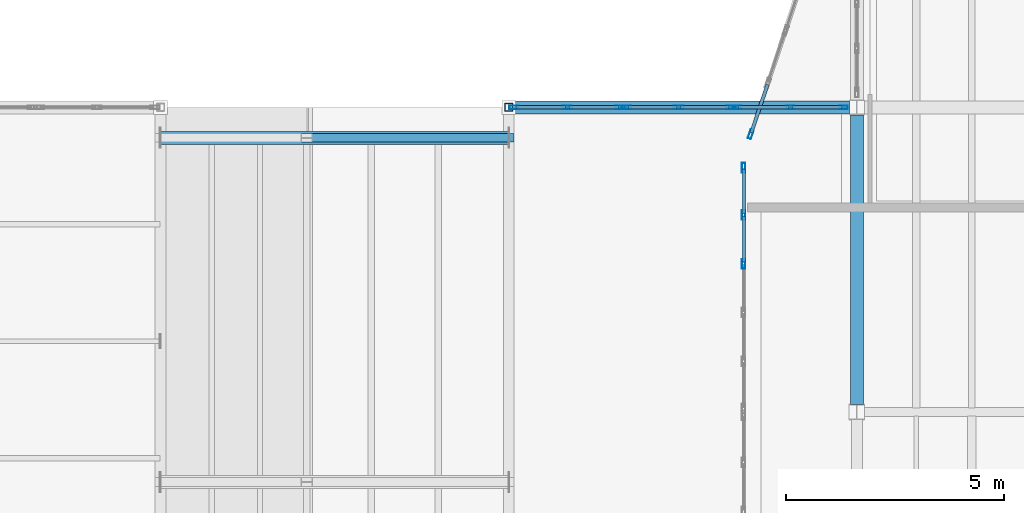
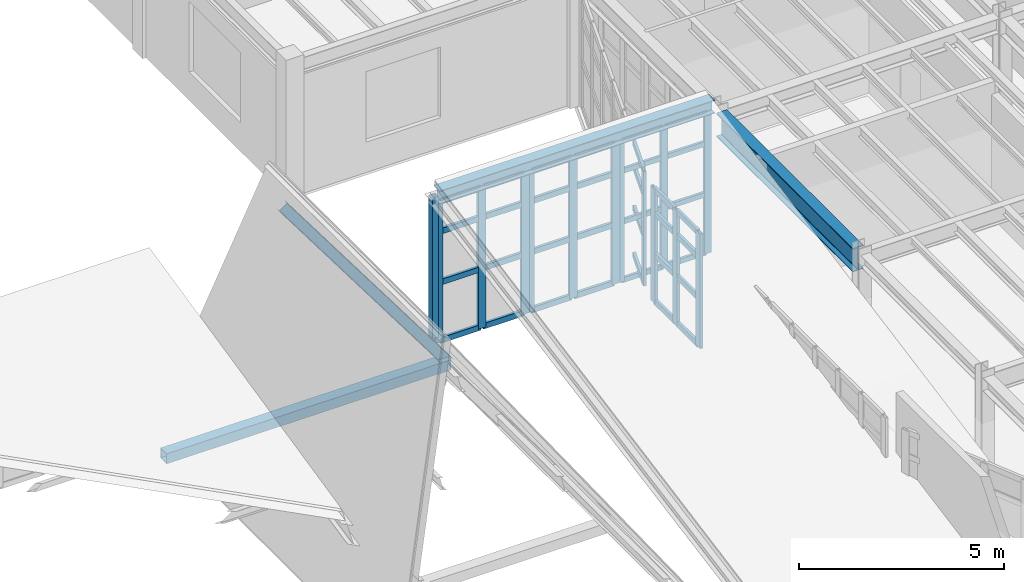
# One storey, part 37 of 77: 52 members, 2 beams, 5 elements without a shape of their own.
"""IFC4 building model written with IfcOpenShell, lengths in metres."""

from ifc_helpers import new_model, si_unit, direction, frame, origin, origin_2d, place, context, subcontext, project, spatial, hollow_rectangle, i_section, extrude, material, material_profile, profile_set, type_object, element, aggregate, save


model = new_model("IFC4")

# Units and contexts
model_context = context("Model", 3, precision=1e-05, world=origin(), true_north=direction((0.0, 1.0)))
body_context = subcontext(model_context, "Body", "Model", "MODEL_VIEW")
ifc_project = project(units=[si_unit("LENGTHUNIT", "METRE"), si_unit("AREAUNIT", "SQUARE_METRE"), si_unit("VOLUMEUNIT", "CUBIC_METRE"), si_unit("PLANEANGLEUNIT", "RADIAN"), si_unit("MASSUNIT", "GRAM", prefix="KILO"), si_unit("THERMODYNAMICTEMPERATUREUNIT", "KELVIN"), si_unit("POWERUNIT", "WATT")], contexts=[model_context])

# Site, building, storey
site_placement = place(None, origin())
site = spatial("IfcSite", under=ifc_project, at=site_placement, CompositionType="ELEMENT")
building_placement = place(site_placement, origin())
building = spatial("IfcBuilding", under=site, at=building_placement, Name="Zhenchuan Central Fire Station", CompositionType="ELEMENT")
storey_placement = place(building_placement, frame((0.0, 0.0, 10.050048828125)))
storey = spatial("IfcBuildingStorey", under=building, at=storey_placement, Name="L03", CompositionType="ELEMENT", Elevation=10.050048828125)

# Beams
ifc_material_1 = material(Name="Steel Q355B", Category="steel")
ifc_material_profile_1 = material_profile(ifc_material_1, i_section(OverallWidth=0.300048828125, OverallDepth=0.389892578125, WebThickness=0.010009765625, FlangeThickness=0.01611328125, FilletRadius=0.02001953125, at=origin_2d()), Name="HM 390x300")
ifc_profile_set_1 = profile_set([ifc_material_profile_1], Name="Steel Q355B")
beam_type_1 = type_object("IfcBeamType", Name="BM-HM390-INT", PredefinedType="BEAM", material=ifc_profile_set_1)
beam_1_placement = place(storey_placement, frame((132.090087890625, 35.5, 4.1826171875), z_axis=(1.0, 0.0, 0.0), x_axis=(0.0, 1.0, 0.0)))
element("IfcBeam", 1, at=beam_1_placement, inside=storey, type_object=beam_type_1, Name="Pavilion H10 North-Light Ridge Girder", PredefinedType="BEAM", context=body_context, shape_type="SweptSolid", body=[
    extrude(i_section(OverallWidth=0.300048828125, OverallDepth=0.389892578125, WebThickness=0.010009765625, FlangeThickness=0.01611328125, FilletRadius=0.02001953125, at=origin_2d()), origin(), (0.0, 0.0, 1.0), 7.73486328125),
])
ifc_material_profile_2 = material_profile(ifc_material_1, i_section(OverallWidth=0.300048828125, OverallDepth=0.699951171875, WebThickness=0.012939453125, FlangeThickness=0.02392578125, FilletRadius=0.02392578125, at=origin_2d()), Name="HN 700x300")
ifc_profile_set_2 = profile_set([ifc_material_profile_2], Name="Steel Q355B")
beam_type_2 = type_object("IfcBeamType", Name="BM-HN700", PredefinedType="BEAM", material=ifc_profile_set_2)
beam_2_placement = place(storey_placement, frame((140.0, 28.675048828125, 3.64990234375), z_axis=(0.0, 1.0, 0.0), x_axis=(-1.0, 0.0, 0.0)))
element("IfcBeam", 2, at=beam_2_placement, inside=storey, type_object=beam_type_2, Name="L04 Girder NS 0406", PredefinedType="BEAM", context=body_context, shape_type="SweptSolid", body=[
    extrude(i_section(OverallWidth=0.300048828125, OverallDepth=0.699951171875, WebThickness=0.012939453125, FlangeThickness=0.02392578125, FilletRadius=0.02392578125, at=origin_2d()), origin(), (0.0, 0.0, 1.0), 6.64990234375),
])

# Curtain wall, members
ifc_material_2 = material(Name="Anodised aluminium and low-E glazing", Category="aluminium")
curtain_wall_type_1 = type_object("IfcCurtainWallType", Name="CW-MOD-01", PredefinedType="USERDEFINED", material=ifc_material_2)
curtain_wall_1_placement = place(storey_placement, origin())
curtain_wall_1 = element("IfcCurtainWall", 3, at=curtain_wall_1_placement, inside=storey, type_object=curtain_wall_type_1, Name="L03 Unitised Curtain Wall 015", ObjectType="UNITISED GLAZING", PredefinedType="USERDEFINED")
ifc_material_3 = material(Name="Anodised aluminium EN AW-6063", Category="aluminium")
ifc_material_profile_3 = material_profile(ifc_material_3, hollow_rectangle(XDim=0.074951171875, YDim=0.199951171875, WallThickness=0.0048828125, at=origin_2d()), Name="ALU-M 200x75")
ifc_profile_set_3 = profile_set([ifc_material_profile_3], Name="Anodised aluminium EN AW-6063")
member_type_1 = type_object("IfcMemberType", Name="CW-MUL160", PredefinedType="MULLION", material=ifc_profile_set_3)
member_1_placement = place(storey_placement, frame((137.249755859375, 35.5, -0.2041015625), z_axis=(0.0, 0.0, 1.0), x_axis=(0.0, 1.0, 0.0)))
member_1 = element("IfcMember", 4, at=member_1_placement, type_object=member_type_1, Name="CW-01 mullion 1", PredefinedType="MULLION", context=body_context, shape_type="SweptSolid", body=[
    extrude(hollow_rectangle(XDim=0.074951171875, YDim=0.199951171875, WallThickness=0.0048828125, at=origin_2d()), origin(), (0.0, 0.0, 1.0), 4.2041015625),
])
member_2_placement = place(storey_placement, frame((138.47119140625, 35.5, -0.2041015625), z_axis=(0.0, 0.0, 1.0), x_axis=(0.0, 1.0, 0.0)))
member_2 = element("IfcMember", 5, at=member_2_placement, type_object=member_type_1, Name="CW-01 mullion 2", PredefinedType="MULLION", context=body_context, shape_type="SweptSolid", body=[
    extrude(hollow_rectangle(XDim=0.074951171875, YDim=0.199951171875, WallThickness=0.0048828125, at=origin_2d()), origin(), (0.0, 0.0, 1.0), 4.2041015625),
])
member_3_placement = place(storey_placement, frame((139.6923828125, 35.5, -0.2041015625), z_axis=(0.0, 0.0, 1.0), x_axis=(0.0, 1.0, 0.0)))
member_3 = element("IfcMember", 6, at=member_3_placement, type_object=member_type_1, Name="CW-01 mullion 3", PredefinedType="MULLION", context=body_context, shape_type="SweptSolid", body=[
    extrude(hollow_rectangle(XDim=0.074951171875, YDim=0.199951171875, WallThickness=0.0048828125, at=origin_2d()), origin(), (0.0, 0.0, 1.0), 4.2041015625),
])

curtain_wall_type_2 = type_object("IfcCurtainWallType", Name="CW-MOD-21", PredefinedType="USERDEFINED", material=ifc_material_2)
curtain_wall_2_placement = place(storey_placement, origin())
curtain_wall_2 = element("IfcCurtainWall", 7, at=curtain_wall_2_placement, inside=storey, type_object=curtain_wall_type_2, Name="L03 Unitised Curtain Wall 013", ObjectType="UNITISED GLAZING", PredefinedType="USERDEFINED")
ifc_material_profile_4 = material_profile(ifc_material_3, hollow_rectangle(XDim=0.080078125, YDim=0.219970703125, WallThickness=0.005615234375, at=origin_2d()), Name="ALU-M 220x80")
ifc_profile_set_4 = profile_set([ifc_material_profile_4], Name="Anodised aluminium EN AW-6063")
member_type_2 = type_object("IfcMemberType", Name="CW-MUL200", PredefinedType="MULLION", material=ifc_profile_set_4)
member_4_placement = place(storey_placement, frame((132.12548828125, 35.5, -0.2041015625), z_axis=(0.0, 0.0, 1.0), x_axis=(0.0, 1.0, 0.0)))
member_4 = element("IfcMember", 8, at=member_4_placement, type_object=member_type_2, Name="CW-21 mullion 1", PredefinedType="MULLION", context=body_context, shape_type="SweptSolid", body=[
    extrude(hollow_rectangle(XDim=0.080078125, YDim=0.219970703125, WallThickness=0.005615234375, at=origin_2d()), origin(), (0.0, 0.0, 1.0), 4.2041015625),
])
member_5_placement = place(storey_placement, frame((133.341796875, 35.5, -0.2041015625), z_axis=(0.0, 0.0, 1.0), x_axis=(0.0, 1.0, 0.0)))
member_5 = element("IfcMember", 9, at=member_5_placement, type_object=member_type_2, Name="CW-21 mullion 2", PredefinedType="MULLION", context=body_context, shape_type="SweptSolid", body=[
    extrude(hollow_rectangle(XDim=0.080078125, YDim=0.219970703125, WallThickness=0.005615234375, at=origin_2d()), origin(), (0.0, 0.0, 1.0), 4.2041015625),
])
member_6_placement = place(storey_placement, frame((134.55810546875, 35.5, -0.2041015625), z_axis=(0.0, 0.0, 1.0), x_axis=(0.0, 1.0, 0.0)))
member_6 = element("IfcMember", 10, at=member_6_placement, type_object=member_type_2, Name="CW-21 mullion 3", PredefinedType="MULLION", context=body_context, shape_type="SweptSolid", body=[
    extrude(hollow_rectangle(XDim=0.080078125, YDim=0.219970703125, WallThickness=0.005615234375, at=origin_2d()), origin(), (0.0, 0.0, 1.0), 4.2041015625),
])

curtain_wall_type_3 = type_object("IfcCurtainWallType", Name="CW-MOD-22", PredefinedType="USERDEFINED", material=ifc_material_2)
curtain_wall_3_placement = place(storey_placement, origin())
curtain_wall_3 = element("IfcCurtainWall", 11, at=curtain_wall_3_placement, inside=storey, type_object=curtain_wall_type_3, Name="L03 Unitised Curtain Wall 014", ObjectType="UNITISED GLAZING", PredefinedType="USERDEFINED")
member_7_placement = place(storey_placement, frame((134.709228515625, 35.5, -0.2041015625), z_axis=(0.0, 0.0, 1.0), x_axis=(0.0, 1.0, 0.0)))
member_7 = element("IfcMember", 12, at=member_7_placement, type_object=member_type_2, Name="CW-22 mullion 1", PredefinedType="MULLION", context=body_context, shape_type="SweptSolid", body=[
    extrude(hollow_rectangle(XDim=0.080078125, YDim=0.219970703125, WallThickness=0.005615234375, at=origin_2d()), origin(), (0.0, 0.0, 1.0), 4.2041015625),
])
member_8_placement = place(storey_placement, frame((135.906494140625, 35.5, -0.2041015625), z_axis=(0.0, 0.0, 1.0), x_axis=(0.0, 1.0, 0.0)))
member_8 = element("IfcMember", 13, at=member_8_placement, type_object=member_type_2, Name="CW-22 mullion 2", PredefinedType="MULLION", context=body_context, shape_type="SweptSolid", body=[
    extrude(hollow_rectangle(XDim=0.080078125, YDim=0.219970703125, WallThickness=0.005615234375, at=origin_2d()), origin(), (0.0, 0.0, 1.0), 4.2041015625),
])
member_9_placement = place(storey_placement, frame((137.103759765625, 35.5, -0.2041015625), z_axis=(0.0, 0.0, 1.0), x_axis=(0.0, 1.0, 0.0)))
member_9 = element("IfcMember", 14, at=member_9_placement, type_object=member_type_2, Name="CW-22 mullion 3", PredefinedType="MULLION", context=body_context, shape_type="SweptSolid", body=[
    extrude(hollow_rectangle(XDim=0.080078125, YDim=0.219970703125, WallThickness=0.005615234375, at=origin_2d()), origin(), (0.0, 0.0, 1.0), 4.2041015625),
])

curtain_wall_type_4 = type_object("IfcCurtainWallType", Name="CW-MOD-17", PredefinedType="USERDEFINED", material=ifc_material_2)
curtain_wall_4_placement = place(storey_placement, origin())
curtain_wall_4 = element("IfcCurtainWall", 15, at=curtain_wall_4_placement, inside=storey, type_object=curtain_wall_type_4, Name="L03 Unitised Curtain Wall 120", ObjectType="UNITISED GLAZING", PredefinedType="USERDEFINED")
member_10_placement = place(storey_placement, frame((137.39990234375, 31.9052734375, -0.004150390625), z_axis=(0.0, 0.0, 1.0), x_axis=(-1.0, 0.0, 0.0)))
member_10 = element("IfcMember", 16, at=member_10_placement, type_object=member_type_2, Name="CW-17 mullion 4", PredefinedType="MULLION", context=body_context, shape_type="SweptSolid", body=[
    extrude(hollow_rectangle(XDim=0.080078125, YDim=0.219970703125, WallThickness=0.005615234375, at=origin_2d()), origin(), (0.0, 0.0, 1.0), 3.404052734375),
])
member_11_placement = place(storey_placement, frame((137.39990234375, 33.027587890625, -0.004150390625), z_axis=(0.0, 0.0, 1.0), x_axis=(-1.0, 0.0, 0.0)))
member_11 = element("IfcMember", 17, at=member_11_placement, type_object=member_type_2, Name="CW-17 mullion 5", PredefinedType="MULLION", context=body_context, shape_type="SweptSolid", body=[
    extrude(hollow_rectangle(XDim=0.080078125, YDim=0.219970703125, WallThickness=0.005615234375, at=origin_2d()), origin(), (0.0, 0.0, 1.0), 3.404052734375),
])
member_12_placement = place(storey_placement, frame((137.39990234375, 34.112548828125, -0.004150390625), z_axis=(0.0, 0.0, 1.0), x_axis=(-1.0, 0.0, 0.0)))
member_12 = element("IfcMember", 18, at=member_12_placement, type_object=member_type_2, Name="CW-17 mullion 6", PredefinedType="MULLION", context=body_context, shape_type="SweptSolid", body=[
    extrude(hollow_rectangle(XDim=0.080078125, YDim=0.219970703125, WallThickness=0.005615234375, at=origin_2d()), origin(), (0.0, 0.0, 1.0), 3.404052734375),
])

# Curtain wall, member
curtain_wall_type_5 = type_object("IfcCurtainWallType", Name="CW-MOD-18", PredefinedType="USERDEFINED", material=ifc_material_2)
curtain_wall_5_placement = place(storey_placement, origin())
curtain_wall_5 = element("IfcCurtainWall", 19, at=curtain_wall_5_placement, inside=storey, type_object=curtain_wall_type_5, Name="L03 Unitised Curtain Wall 121", ObjectType="UNITISED GLAZING", PredefinedType="USERDEFINED")
member_13_placement = place(storey_placement, frame((137.56201171875, 34.885498046875, -0.004150390625), z_axis=(0.0, 0.0, 1.0), x_axis=(-0.94736848346, 0.320145211655, 0.0)))
member_13 = element("IfcMember", 20, at=member_13_placement, type_object=member_type_2, Name="CW-18 mullion 1", PredefinedType="MULLION", context=body_context, shape_type="SweptSolid", body=[
    extrude(hollow_rectangle(XDim=0.080078125, YDim=0.219970703125, WallThickness=0.005615234375, at=origin_2d()), origin(), (0.0, 0.0, 1.0), 3.404052734375),
])

# Member
ifc_material_profile_5 = material_profile(ifc_material_3, hollow_rectangle(XDim=0.074951171875, YDim=0.14990234375, WallThickness=0.0048828125, at=origin_2d()), Name="ALU-T 150x75")
ifc_profile_set_5 = profile_set([ifc_material_profile_5], Name="Anodised aluminium EN AW-6063")
member_type_3 = type_object("IfcMemberType", Name="CW-TRN130", PredefinedType="NOTDEFINED", material=ifc_profile_set_5)
member_14_placement = place(storey_placement, frame((137.2822265625, 35.5, -0.171630859375), z_axis=(1.0, 0.0, 0.0), x_axis=(0.0, 1.0, 0.0)))
member_14 = element("IfcMember", 21, at=member_14_placement, type_object=member_type_3, Name="CW-01 transom 1.1", ObjectType="TRANSOM", PredefinedType="USERDEFINED", context=body_context, shape_type="SweptSolid", body=[
    extrude(hollow_rectangle(XDim=0.074951171875, YDim=0.14990234375, WallThickness=0.0048828125, at=origin_2d()), origin(), (0.0, 0.0, 1.0), 1.156494140625),
])

member_15_placement = place(storey_placement, frame((137.2822265625, 35.5, 1.56396484375), z_axis=(1.0, 0.0, 0.0), x_axis=(0.0, 1.0, 0.0)))
member_15 = element("IfcMember", 22, at=member_15_placement, type_object=member_type_3, Name="CW-01 transom 1.2", ObjectType="TRANSOM", PredefinedType="USERDEFINED", context=body_context, shape_type="SweptSolid", body=[
    extrude(hollow_rectangle(XDim=0.074951171875, YDim=0.14990234375, WallThickness=0.0048828125, at=origin_2d()), origin(), (0.0, 0.0, 1.0), 1.156494140625),
])

member_16_placement = place(storey_placement, frame((137.2822265625, 35.5, 3.075927734375), z_axis=(1.0, 0.0, 0.0), x_axis=(0.0, 1.0, 0.0)))
member_16 = element("IfcMember", 23, at=member_16_placement, type_object=member_type_3, Name="CW-01 transom 1.3", ObjectType="TRANSOM", PredefinedType="USERDEFINED", context=body_context, shape_type="SweptSolid", body=[
    extrude(hollow_rectangle(XDim=0.074951171875, YDim=0.14990234375, WallThickness=0.0048828125, at=origin_2d()), origin(), (0.0, 0.0, 1.0), 1.156494140625),
])

member_17_placement = place(storey_placement, frame((137.2822265625, 35.5, 3.967529296875), z_axis=(1.0, 0.0, 0.0), x_axis=(0.0, 1.0, 0.0)))
member_17 = element("IfcMember", 24, at=member_17_placement, type_object=member_type_3, Name="CW-01 transom 1.4", ObjectType="TRANSOM", PredefinedType="USERDEFINED", context=body_context, shape_type="SweptSolid", body=[
    extrude(hollow_rectangle(XDim=0.074951171875, YDim=0.14990234375, WallThickness=0.0048828125, at=origin_2d()), origin(), (0.0, 0.0, 1.0), 1.156494140625),
])

member_18_placement = place(storey_placement, frame((138.503662109375, 35.5, -0.171630859375), z_axis=(1.0, 0.0, 0.0), x_axis=(0.0, 1.0, 0.0)))
member_18 = element("IfcMember", 25, at=member_18_placement, type_object=member_type_3, Name="CW-01 transom 2.1", ObjectType="TRANSOM", PredefinedType="USERDEFINED", context=body_context, shape_type="SweptSolid", body=[
    extrude(hollow_rectangle(XDim=0.074951171875, YDim=0.14990234375, WallThickness=0.0048828125, at=origin_2d()), origin(), (0.0, 0.0, 1.0), 1.15625),
])

member_19_placement = place(storey_placement, frame((138.503662109375, 35.5, 1.56396484375), z_axis=(1.0, 0.0, 0.0), x_axis=(0.0, 1.0, 0.0)))
member_19 = element("IfcMember", 26, at=member_19_placement, type_object=member_type_3, Name="CW-01 transom 2.2", ObjectType="TRANSOM", PredefinedType="USERDEFINED", context=body_context, shape_type="SweptSolid", body=[
    extrude(hollow_rectangle(XDim=0.074951171875, YDim=0.14990234375, WallThickness=0.0048828125, at=origin_2d()), origin(), (0.0, 0.0, 1.0), 1.15625),
])

member_20_placement = place(storey_placement, frame((138.503662109375, 35.5, 3.075927734375), z_axis=(1.0, 0.0, 0.0), x_axis=(0.0, 1.0, 0.0)))
member_20 = element("IfcMember", 27, at=member_20_placement, type_object=member_type_3, Name="CW-01 transom 2.3", ObjectType="TRANSOM", PredefinedType="USERDEFINED", context=body_context, shape_type="SweptSolid", body=[
    extrude(hollow_rectangle(XDim=0.074951171875, YDim=0.14990234375, WallThickness=0.0048828125, at=origin_2d()), origin(), (0.0, 0.0, 1.0), 1.15625),
])

member_21_placement = place(storey_placement, frame((138.503662109375, 35.5, 3.967529296875), z_axis=(1.0, 0.0, 0.0), x_axis=(0.0, 1.0, 0.0)))
member_21 = element("IfcMember", 28, at=member_21_placement, type_object=member_type_3, Name="CW-01 transom 2.4", ObjectType="TRANSOM", PredefinedType="USERDEFINED", context=body_context, shape_type="SweptSolid", body=[
    extrude(hollow_rectangle(XDim=0.074951171875, YDim=0.14990234375, WallThickness=0.0048828125, at=origin_2d()), origin(), (0.0, 0.0, 1.0), 1.15625),
])

aggregate(curtain_wall_1, [member_1, member_2, member_3, member_14, member_15, member_16, member_17, member_18, member_19, member_20, member_21])

ifc_material_profile_6 = material_profile(ifc_material_3, hollow_rectangle(XDim=0.080078125, YDim=0.1650390625, WallThickness=0.0048828125, at=origin_2d()), Name="ALU-T 165x80")
ifc_profile_set_6 = profile_set([ifc_material_profile_6], Name="Anodised aluminium EN AW-6063")
member_type_4 = type_object("IfcMemberType", Name="CW-TRN150", PredefinedType="NOTDEFINED", material=ifc_profile_set_6)
member_22_placement = place(storey_placement, frame((132.1630859375, 35.5, -0.16650390625), z_axis=(1.0, 0.0, 0.0), x_axis=(0.0, 1.0, 0.0)))
member_22 = element("IfcMember", 29, at=member_22_placement, type_object=member_type_4, Name="CW-21 transom 1.1", ObjectType="TRANSOM", PredefinedType="USERDEFINED", context=body_context, shape_type="SweptSolid", body=[
    extrude(hollow_rectangle(XDim=0.080078125, YDim=0.1650390625, WallThickness=0.0048828125, at=origin_2d()), origin(), (0.0, 0.0, 1.0), 1.141357421875),
])

member_23_placement = place(storey_placement, frame((132.1630859375, 35.5, 1.56396484375), z_axis=(1.0, 0.0, 0.0), x_axis=(0.0, 1.0, 0.0)))
member_23 = element("IfcMember", 30, at=member_23_placement, type_object=member_type_4, Name="CW-21 transom 1.2", ObjectType="TRANSOM", PredefinedType="USERDEFINED", context=body_context, shape_type="SweptSolid", body=[
    extrude(hollow_rectangle(XDim=0.080078125, YDim=0.1650390625, WallThickness=0.0048828125, at=origin_2d()), origin(), (0.0, 0.0, 1.0), 1.141357421875),
])

member_24_placement = place(storey_placement, frame((132.1630859375, 35.5, 3.075927734375), z_axis=(1.0, 0.0, 0.0), x_axis=(0.0, 1.0, 0.0)))
member_24 = element("IfcMember", 31, at=member_24_placement, type_object=member_type_4, Name="CW-21 transom 1.3", ObjectType="TRANSOM", PredefinedType="USERDEFINED", context=body_context, shape_type="SweptSolid", body=[
    extrude(hollow_rectangle(XDim=0.080078125, YDim=0.1650390625, WallThickness=0.0048828125, at=origin_2d()), origin(), (0.0, 0.0, 1.0), 1.141357421875),
])

member_25_placement = place(storey_placement, frame((132.1630859375, 35.5, 3.96240234375), z_axis=(1.0, 0.0, 0.0), x_axis=(0.0, 1.0, 0.0)))
member_25 = element("IfcMember", 32, at=member_25_placement, type_object=member_type_4, Name="CW-21 transom 1.4", ObjectType="TRANSOM", PredefinedType="USERDEFINED", context=body_context, shape_type="SweptSolid", body=[
    extrude(hollow_rectangle(XDim=0.080078125, YDim=0.1650390625, WallThickness=0.0048828125, at=origin_2d()), origin(), (0.0, 0.0, 1.0), 1.141357421875),
])

member_26_placement = place(storey_placement, frame((133.37939453125, 35.5, -0.16650390625), z_axis=(1.0, 0.0, 0.0), x_axis=(0.0, 1.0, 0.0)))
member_26 = element("IfcMember", 33, at=member_26_placement, type_object=member_type_4, Name="CW-21 transom 2.1", ObjectType="TRANSOM", PredefinedType="USERDEFINED", context=body_context, shape_type="SweptSolid", body=[
    extrude(hollow_rectangle(XDim=0.080078125, YDim=0.1650390625, WallThickness=0.0048828125, at=origin_2d()), origin(), (0.0, 0.0, 1.0), 1.141357421875),
])

member_27_placement = place(storey_placement, frame((133.37939453125, 35.5, 1.56396484375), z_axis=(1.0, 0.0, 0.0), x_axis=(0.0, 1.0, 0.0)))
member_27 = element("IfcMember", 34, at=member_27_placement, type_object=member_type_4, Name="CW-21 transom 2.2", ObjectType="TRANSOM", PredefinedType="USERDEFINED", context=body_context, shape_type="SweptSolid", body=[
    extrude(hollow_rectangle(XDim=0.080078125, YDim=0.1650390625, WallThickness=0.0048828125, at=origin_2d()), origin(), (0.0, 0.0, 1.0), 1.141357421875),
])

member_28_placement = place(storey_placement, frame((133.37939453125, 35.5, 3.075927734375), z_axis=(1.0, 0.0, 0.0), x_axis=(0.0, 1.0, 0.0)))
member_28 = element("IfcMember", 35, at=member_28_placement, type_object=member_type_4, Name="CW-21 transom 2.3", ObjectType="TRANSOM", PredefinedType="USERDEFINED", context=body_context, shape_type="SweptSolid", body=[
    extrude(hollow_rectangle(XDim=0.080078125, YDim=0.1650390625, WallThickness=0.0048828125, at=origin_2d()), origin(), (0.0, 0.0, 1.0), 1.141357421875),
])

member_29_placement = place(storey_placement, frame((133.37939453125, 35.5, 3.96240234375), z_axis=(1.0, 0.0, 0.0), x_axis=(0.0, 1.0, 0.0)))
member_29 = element("IfcMember", 36, at=member_29_placement, type_object=member_type_4, Name="CW-21 transom 2.4", ObjectType="TRANSOM", PredefinedType="USERDEFINED", context=body_context, shape_type="SweptSolid", body=[
    extrude(hollow_rectangle(XDim=0.080078125, YDim=0.1650390625, WallThickness=0.0048828125, at=origin_2d()), origin(), (0.0, 0.0, 1.0), 1.141357421875),
])

aggregate(curtain_wall_2, [member_4, member_5, member_6, member_22, member_23, member_24, member_25, member_26, member_27, member_28, member_29])

member_30_placement = place(storey_placement, frame((134.74658203125, 35.5, -0.16650390625), z_axis=(1.0, 0.0, 0.0), x_axis=(0.0, 1.0, 0.0)))
member_30 = element("IfcMember", 37, at=member_30_placement, type_object=member_type_4, Name="CW-22 transom 1.1", ObjectType="TRANSOM", PredefinedType="USERDEFINED", context=body_context, shape_type="SweptSolid", body=[
    extrude(hollow_rectangle(XDim=0.080078125, YDim=0.1650390625, WallThickness=0.0048828125, at=origin_2d()), origin(), (0.0, 0.0, 1.0), 1.122314453125),
])

member_31_placement = place(storey_placement, frame((134.74658203125, 35.5, 1.56396484375), z_axis=(1.0, 0.0, 0.0), x_axis=(0.0, 1.0, 0.0)))
member_31 = element("IfcMember", 38, at=member_31_placement, type_object=member_type_4, Name="CW-22 transom 1.2", ObjectType="TRANSOM", PredefinedType="USERDEFINED", context=body_context, shape_type="SweptSolid", body=[
    extrude(hollow_rectangle(XDim=0.080078125, YDim=0.1650390625, WallThickness=0.0048828125, at=origin_2d()), origin(), (0.0, 0.0, 1.0), 1.122314453125),
])

member_32_placement = place(storey_placement, frame((134.74658203125, 35.5, 3.075927734375), z_axis=(1.0, 0.0, 0.0), x_axis=(0.0, 1.0, 0.0)))
member_32 = element("IfcMember", 39, at=member_32_placement, type_object=member_type_4, Name="CW-22 transom 1.3", ObjectType="TRANSOM", PredefinedType="USERDEFINED", context=body_context, shape_type="SweptSolid", body=[
    extrude(hollow_rectangle(XDim=0.080078125, YDim=0.1650390625, WallThickness=0.0048828125, at=origin_2d()), origin(), (0.0, 0.0, 1.0), 1.122314453125),
])

member_33_placement = place(storey_placement, frame((134.74658203125, 35.5, 3.96240234375), z_axis=(1.0, 0.0, 0.0), x_axis=(0.0, 1.0, 0.0)))
member_33 = element("IfcMember", 40, at=member_33_placement, type_object=member_type_4, Name="CW-22 transom 1.4", ObjectType="TRANSOM", PredefinedType="USERDEFINED", context=body_context, shape_type="SweptSolid", body=[
    extrude(hollow_rectangle(XDim=0.080078125, YDim=0.1650390625, WallThickness=0.0048828125, at=origin_2d()), origin(), (0.0, 0.0, 1.0), 1.122314453125),
])

member_34_placement = place(storey_placement, frame((135.944091796875, 35.5, -0.16650390625), z_axis=(1.0, 0.0, 0.0), x_axis=(0.0, 1.0, 0.0)))
member_34 = element("IfcMember", 41, at=member_34_placement, type_object=member_type_4, Name="CW-22 transom 2.1", ObjectType="TRANSOM", PredefinedType="USERDEFINED", context=body_context, shape_type="SweptSolid", body=[
    extrude(hollow_rectangle(XDim=0.080078125, YDim=0.1650390625, WallThickness=0.0048828125, at=origin_2d()), origin(), (0.0, 0.0, 1.0), 1.122314453125),
])

member_35_placement = place(storey_placement, frame((135.944091796875, 35.5, 1.56396484375), z_axis=(1.0, 0.0, 0.0), x_axis=(0.0, 1.0, 0.0)))
member_35 = element("IfcMember", 42, at=member_35_placement, type_object=member_type_4, Name="CW-22 transom 2.2", ObjectType="TRANSOM", PredefinedType="USERDEFINED", context=body_context, shape_type="SweptSolid", body=[
    extrude(hollow_rectangle(XDim=0.080078125, YDim=0.1650390625, WallThickness=0.0048828125, at=origin_2d()), origin(), (0.0, 0.0, 1.0), 1.122314453125),
])

member_36_placement = place(storey_placement, frame((135.944091796875, 35.5, 3.075927734375), z_axis=(1.0, 0.0, 0.0), x_axis=(0.0, 1.0, 0.0)))
member_36 = element("IfcMember", 43, at=member_36_placement, type_object=member_type_4, Name="CW-22 transom 2.3", ObjectType="TRANSOM", PredefinedType="USERDEFINED", context=body_context, shape_type="SweptSolid", body=[
    extrude(hollow_rectangle(XDim=0.080078125, YDim=0.1650390625, WallThickness=0.0048828125, at=origin_2d()), origin(), (0.0, 0.0, 1.0), 1.122314453125),
])

member_37_placement = place(storey_placement, frame((135.944091796875, 35.5, 3.96240234375), z_axis=(1.0, 0.0, 0.0), x_axis=(0.0, 1.0, 0.0)))
member_37 = element("IfcMember", 44, at=member_37_placement, type_object=member_type_4, Name="CW-22 transom 2.4", ObjectType="TRANSOM", PredefinedType="USERDEFINED", context=body_context, shape_type="SweptSolid", body=[
    extrude(hollow_rectangle(XDim=0.080078125, YDim=0.1650390625, WallThickness=0.0048828125, at=origin_2d()), origin(), (0.0, 0.0, 1.0), 1.122314453125),
])

aggregate(curtain_wall_3, [member_7, member_8, member_9, member_30, member_31, member_32, member_33, member_34, member_35, member_36, member_37])

member_38_placement = place(storey_placement, frame((137.39990234375, 31.942626953125, 0.033447265625), z_axis=(0.0, 1.0, 0.0), x_axis=(-1.0, 0.0, 0.0)))
member_38 = element("IfcMember", 45, at=member_38_placement, type_object=member_type_4, Name="CW-17 transom 4.1", ObjectType="TRANSOM", PredefinedType="USERDEFINED", context=body_context, shape_type="SweptSolid", body=[
    extrude(hollow_rectangle(XDim=0.080078125, YDim=0.1650390625, WallThickness=0.0048828125, at=origin_2d()), origin(), (0.0, 0.0, 1.0), 1.04736328125),
])

member_39_placement = place(storey_placement, frame((137.39990234375, 31.942626953125, 1.427978515625), z_axis=(0.0, 1.0, 0.0), x_axis=(-1.0, 0.0, 0.0)))
member_39 = element("IfcMember", 46, at=member_39_placement, type_object=member_type_4, Name="CW-17 transom 4.2", ObjectType="TRANSOM", PredefinedType="USERDEFINED", context=body_context, shape_type="SweptSolid", body=[
    extrude(hollow_rectangle(XDim=0.080078125, YDim=0.1650390625, WallThickness=0.0048828125, at=origin_2d()), origin(), (0.0, 0.0, 1.0), 1.04736328125),
])

member_40_placement = place(storey_placement, frame((137.39990234375, 31.942626953125, 2.65185546875), z_axis=(0.0, 1.0, 0.0), x_axis=(-1.0, 0.0, 0.0)))
member_40 = element("IfcMember", 47, at=member_40_placement, type_object=member_type_4, Name="CW-17 transom 4.3", ObjectType="TRANSOM", PredefinedType="USERDEFINED", context=body_context, shape_type="SweptSolid", body=[
    extrude(hollow_rectangle(XDim=0.080078125, YDim=0.1650390625, WallThickness=0.0048828125, at=origin_2d()), origin(), (0.0, 0.0, 1.0), 1.04736328125),
])

member_41_placement = place(storey_placement, frame((137.39990234375, 31.942626953125, 3.362548828125), z_axis=(0.0, 1.0, 0.0), x_axis=(-1.0, 0.0, 0.0)))
member_41 = element("IfcMember", 48, at=member_41_placement, type_object=member_type_4, Name="CW-17 transom 4.4", ObjectType="TRANSOM", PredefinedType="USERDEFINED", context=body_context, shape_type="SweptSolid", body=[
    extrude(hollow_rectangle(XDim=0.080078125, YDim=0.1650390625, WallThickness=0.0048828125, at=origin_2d()), origin(), (0.0, 0.0, 1.0), 1.04736328125),
])

member_42_placement = place(storey_placement, frame((137.39990234375, 33.065185546875, 0.033447265625), z_axis=(0.0, 1.0, 0.0), x_axis=(-1.0, 0.0, 0.0)))
member_42 = element("IfcMember", 49, at=member_42_placement, type_object=member_type_4, Name="CW-17 transom 5.1", ObjectType="TRANSOM", PredefinedType="USERDEFINED", context=body_context, shape_type="SweptSolid", body=[
    extrude(hollow_rectangle(XDim=0.080078125, YDim=0.1650390625, WallThickness=0.0048828125, at=origin_2d()), origin(), (0.0, 0.0, 1.0), 1.009765625),
])

member_43_placement = place(storey_placement, frame((137.39990234375, 33.065185546875, 1.427978515625), z_axis=(0.0, 1.0, 0.0), x_axis=(-1.0, 0.0, 0.0)))
member_43 = element("IfcMember", 50, at=member_43_placement, type_object=member_type_4, Name="CW-17 transom 5.2", ObjectType="TRANSOM", PredefinedType="USERDEFINED", context=body_context, shape_type="SweptSolid", body=[
    extrude(hollow_rectangle(XDim=0.080078125, YDim=0.1650390625, WallThickness=0.0048828125, at=origin_2d()), origin(), (0.0, 0.0, 1.0), 1.009765625),
])

member_44_placement = place(storey_placement, frame((137.39990234375, 33.065185546875, 2.65185546875), z_axis=(0.0, 1.0, 0.0), x_axis=(-1.0, 0.0, 0.0)))
member_44 = element("IfcMember", 51, at=member_44_placement, type_object=member_type_4, Name="CW-17 transom 5.3", ObjectType="TRANSOM", PredefinedType="USERDEFINED", context=body_context, shape_type="SweptSolid", body=[
    extrude(hollow_rectangle(XDim=0.080078125, YDim=0.1650390625, WallThickness=0.0048828125, at=origin_2d()), origin(), (0.0, 0.0, 1.0), 1.009765625),
])

member_45_placement = place(storey_placement, frame((137.39990234375, 33.065185546875, 3.362548828125), z_axis=(0.0, 1.0, 0.0), x_axis=(-1.0, 0.0, 0.0)))
member_45 = element("IfcMember", 52, at=member_45_placement, type_object=member_type_4, Name="CW-17 transom 5.4", ObjectType="TRANSOM", PredefinedType="USERDEFINED", context=body_context, shape_type="SweptSolid", body=[
    extrude(hollow_rectangle(XDim=0.080078125, YDim=0.1650390625, WallThickness=0.0048828125, at=origin_2d()), origin(), (0.0, 0.0, 1.0), 1.009765625),
])

aggregate(curtain_wall_4, [member_10, member_11, member_12, member_38, member_39, member_40, member_41, member_42, member_43, member_44, member_45])

member_46_placement = place(storey_placement, frame((137.573974609375, 34.921142578125, 0.033447265625), z_axis=(0.320193296723, 0.947352232664, 0.0), x_axis=(-0.947352232664, 0.320193296723, 0.0)))
member_46 = element("IfcMember", 53, at=member_46_placement, type_object=member_type_4, Name="CW-18 transom 1.1", ObjectType="TRANSOM", PredefinedType="USERDEFINED", context=body_context, shape_type="SweptSolid", body=[
    extrude(hollow_rectangle(XDim=0.080078125, YDim=0.1650390625, WallThickness=0.0048828125, at=origin_2d()), origin(), (0.0, 0.0, 1.0), 1.162841796875),
])

member_47_placement = place(storey_placement, frame((137.573974609375, 34.921142578125, 1.427978515625), z_axis=(0.320193296723, 0.947352232664, 0.0), x_axis=(-0.947352232664, 0.320193296723, 0.0)))
member_47 = element("IfcMember", 54, at=member_47_placement, type_object=member_type_4, Name="CW-18 transom 1.2", ObjectType="TRANSOM", PredefinedType="USERDEFINED", context=body_context, shape_type="SweptSolid", body=[
    extrude(hollow_rectangle(XDim=0.080078125, YDim=0.1650390625, WallThickness=0.0048828125, at=origin_2d()), origin(), (0.0, 0.0, 1.0), 1.162841796875),
])

member_48_placement = place(storey_placement, frame((137.573974609375, 34.921142578125, 2.65185546875), z_axis=(0.320193296723, 0.947352232664, 0.0), x_axis=(-0.947352232664, 0.320193296723, 0.0)))
member_48 = element("IfcMember", 55, at=member_48_placement, type_object=member_type_4, Name="CW-18 transom 1.3", ObjectType="TRANSOM", PredefinedType="USERDEFINED", context=body_context, shape_type="SweptSolid", body=[
    extrude(hollow_rectangle(XDim=0.080078125, YDim=0.1650390625, WallThickness=0.0048828125, at=origin_2d()), origin(), (0.0, 0.0, 1.0), 1.162841796875),
])

member_49_placement = place(storey_placement, frame((137.573974609375, 34.921142578125, 3.362548828125), z_axis=(0.320193296723, 0.947352232664, 0.0), x_axis=(-0.947352232664, 0.320193296723, 0.0)))
member_49 = element("IfcMember", 56, at=member_49_placement, type_object=member_type_4, Name="CW-18 transom 1.4", ObjectType="TRANSOM", PredefinedType="USERDEFINED", context=body_context, shape_type="SweptSolid", body=[
    extrude(hollow_rectangle(XDim=0.080078125, YDim=0.1650390625, WallThickness=0.0048828125, at=origin_2d()), origin(), (0.0, 0.0, 1.0), 1.162841796875),
])

aggregate(curtain_wall_5, [member_13, member_46, member_47, member_48, member_49])

# Members
ifc_material_profile_7 = material_profile(ifc_material_1, hollow_rectangle(XDim=0.300048828125, YDim=0.300048828125, WallThickness=0.011962890625, at=origin_2d()), Name="SHS 300x300x12")
ifc_profile_set_7 = profile_set([ifc_material_profile_7], Name="Steel Q355B")
member_type_5 = type_object("IfcMemberType", Name="MB-PS-HW250", PredefinedType="POST", material=ifc_profile_set_7)
member_50_placement = place(storey_placement, frame((124.0, 34.800048828125, -0.330078125), z_axis=(1.0, 0.0, 0.0), x_axis=(0.0, 1.0, 0.0)))
element("IfcMember", 57, at=member_50_placement, inside=storey, type_object=member_type_5, Name="Pavilion H09 Gable Bottom Chord 4", PredefinedType="CHORD", context=body_context, shape_type="SweptSolid", body=[
    extrude(hollow_rectangle(XDim=0.300048828125, YDim=0.300048828125, WallThickness=0.011962890625, at=origin_2d()), origin(), (0.0, 0.0, 1.0), 8.0),
])
ifc_material_profile_8 = material_profile(ifc_material_1, hollow_rectangle(XDim=0.179931640625, YDim=0.179931640625, WallThickness=0.010009765625, at=origin_2d()), Name="SHS 180x180x10")
ifc_profile_set_8 = profile_set([ifc_material_profile_8], Name="Steel Q355B")
member_type_6 = type_object("IfcMemberType", Name="MB-PS-SHS180", PredefinedType="POST", material=ifc_profile_set_8)
member_51_placement = place(storey_placement, frame((132.0, 35.5, 0.0), z_axis=(0.0, 0.0, 1.0), x_axis=(1.0, 0.0, 0.0)))
element("IfcMember", 58, at=member_51_placement, inside=storey, type_object=member_type_6, Name="Pavilion H10 North-Light Truss Post 1", PredefinedType="POST", context=body_context, shape_type="SweptSolid", body=[
    extrude(hollow_rectangle(XDim=0.179931640625, YDim=0.179931640625, WallThickness=0.010009765625, at=origin_2d()), origin(), (0.0, 0.0, 1.0), 4.1826171875),
])
ifc_material_profile_9 = material_profile(ifc_material_1, i_section(OverallWidth=0.199951171875, OverallDepth=0.2939453125, WebThickness=0.008056640625, FlangeThickness=0.011962890625, FilletRadius=0.01611328125, at=origin_2d()), Name="HM 294x200")
ifc_profile_set_9 = profile_set([ifc_material_profile_9], Name="Steel Q355B")
member_type_7 = type_object("IfcMemberType", Name="MB-RF-HM294", PredefinedType="RAFTER", material=ifc_profile_set_9)
member_52_placement = place(storey_placement, frame((127.360107421875, 34.800048828125, 5.897705078125), z_axis=(0.597446839201, 0.0, -0.801908519925), x_axis=(0.0, 1.0, 0.0)))
element("IfcMember", 59, at=member_52_placement, inside=storey, type_object=member_type_7, Name="Pavilion H09 East Gable Rafter 4", PredefinedType="RAFTER", context=body_context, shape_type="SweptSolid", body=[
    extrude(i_section(OverallWidth=0.199951171875, OverallDepth=0.2939453125, WebThickness=0.008056640625, FlangeThickness=0.011962890625, FilletRadius=0.01611328125, at=origin_2d()), origin(), (0.0, 0.0, 1.0), 7.76611328125),
])

save(model, "model.ifc")
